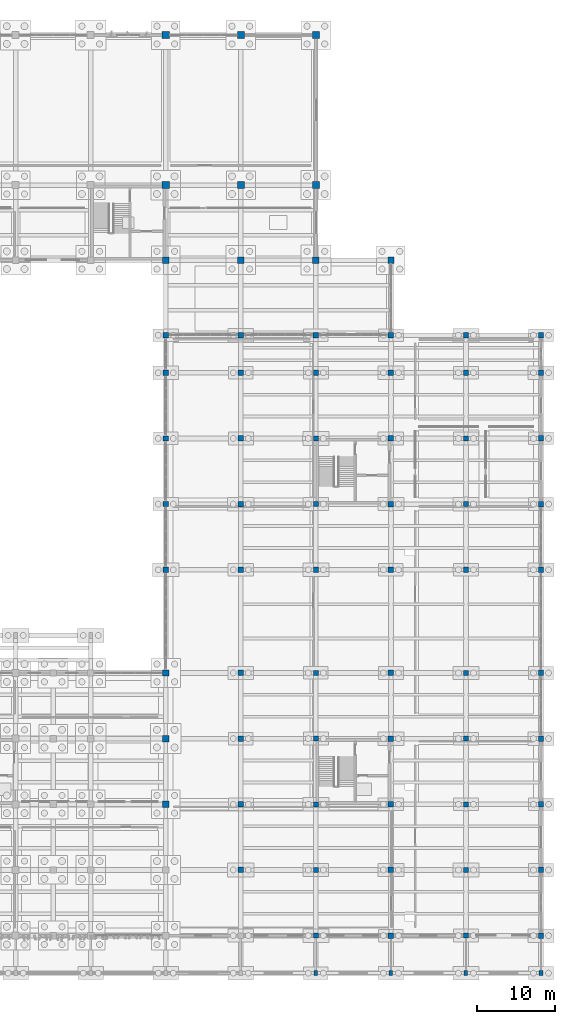
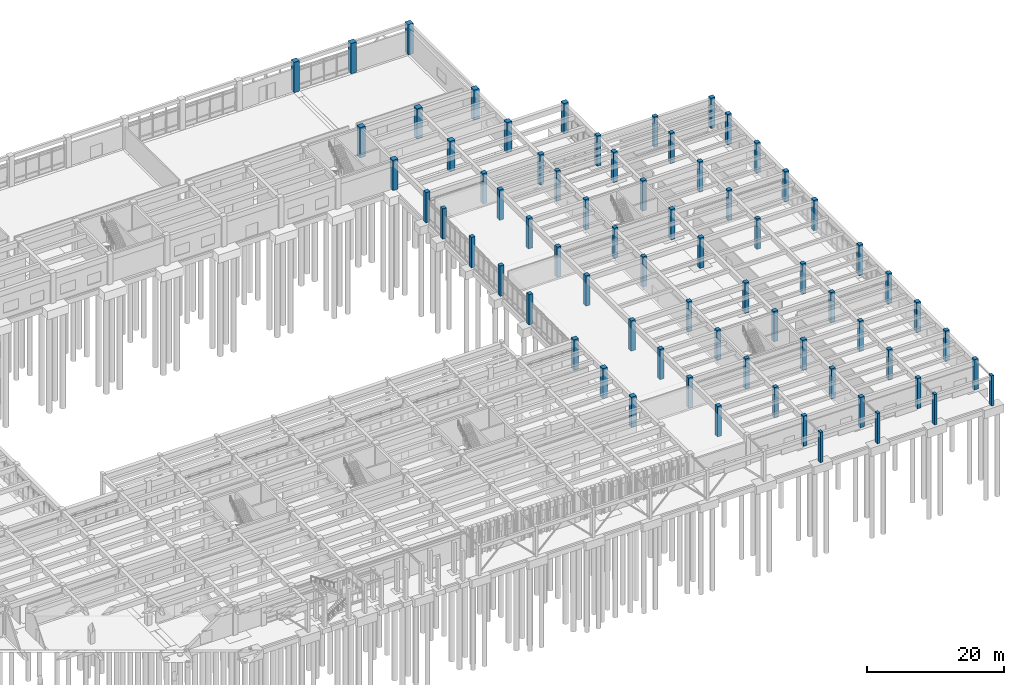
# One storey, part 10 of 102: 71 columns.
"""IFC4 building model written with IfcOpenShell, lengths in metres."""

from ifc_helpers import new_model, si_unit, direction, frame, origin, origin_2d, place, context, subcontext, project, spatial, rectangle, extrude, material, material_profile, profile_set, type_object, element, save


model = new_model("IFC4")

# Units and contexts
model_context = context("Model", 3, precision=1e-05, world=origin(), true_north=direction((0.0, 1.0)))
body_context = subcontext(model_context, "Body", "Model", "MODEL_VIEW")
ifc_project = project(units=[si_unit("LENGTHUNIT", "METRE"), si_unit("AREAUNIT", "SQUARE_METRE"), si_unit("VOLUMEUNIT", "CUBIC_METRE"), si_unit("PLANEANGLEUNIT", "RADIAN"), si_unit("MASSUNIT", "GRAM", prefix="KILO")], contexts=[model_context])

# Site, building, storey
site_placement = place(None, origin())
site = spatial("IfcSite", under=ifc_project, at=site_placement, CompositionType="ELEMENT")
building_placement = place(site_placement, origin())
building = spatial("IfcBuilding", under=site, at=building_placement, Name="Kolvemor Railside Polytechnic", CompositionType="ELEMENT")
storey_placement = place(building_placement, origin())
storey = spatial("IfcBuildingStorey", under=building, at=storey_placement, Name="L00", CompositionType="ELEMENT", Elevation=0.0)

# Columns
ifc_material_1 = material(Name="Concrete C40/50", Category="concrete")
ifc_material_profile_1 = material_profile(ifc_material_1, rectangle(XDim=0.449951171875, YDim=0.64990234375, at=origin_2d()), Name="RC450x650")
ifc_profile_set_1 = profile_set([ifc_material_profile_1], Name="Concrete C40/50")
column_type_1 = type_object("IfcColumnType", Name="COL-RC450x650", PredefinedType="PILASTER", material=ifc_profile_set_1)
for number, where, z_axis, x_axis, name in (
    (1, (153.60009765625, 0.0, 0.0), (0.0, 0.0, 1.0), (1.0, 0.0, 0.0), "Column L00-C209"),
    (2, (163.199951171875, 0.0, 0.0), (0.0, 0.0, 1.0), (1.0, 0.0, 0.0), "Column L00-C223"),
    (3, (172.800048828125, 0.0, 0.0), (0.0, 0.0, 1.0), (1.0, 0.0, 0.0), "Column L00-C235"),
    (4, (182.39990234375, 0.0, 0.0), (0.0, 0.0, 1.0), (1.0, 0.0, 0.0), "Column L00-C246"),
):
    element("IfcColumn", number, at=place(storey_placement, frame(where, z_axis=z_axis, x_axis=x_axis)), inside=storey, type_object=column_type_1, Name=name, PredefinedType="PILASTER", context=body_context, shape_type="SweptSolid", body=[
        extrude(rectangle(XDim=0.449951171875, YDim=0.64990234375, at=origin_2d()), origin(), (0.0, 0.0, 1.0), 5.39990234375),
    ])
ifc_material_2 = material(Name="Concrete C40/50", Category="concrete")
ifc_material_profile_2 = material_profile(ifc_material_2, rectangle(XDim=0.64990234375, YDim=0.64990234375, at=origin_2d()), Name="RC650x650")
ifc_profile_set_2 = profile_set([ifc_material_profile_2], Name="Concrete C40/50")
column_type_2 = type_object("IfcColumnType", Name="COL-RC650", PredefinedType="COLUMN", material=ifc_profile_set_2)
for number, where, z_axis, x_axis, name in (
    (5, (134.39990234375, 51.60009765625, 0.0), (0.0, 0.0, 1.0), (1.0, 0.0, 0.0), "Column L00-C187"),
    (6, (134.39990234375, 60.0, 0.0), (0.0, 0.0, 1.0), (1.0, 0.0, 0.0), "Column L00-C188"),
    (7, (134.39990234375, 68.39990234375, 0.0), (0.0, 0.0, 1.0), (1.0, 0.0, 0.0), "Column L00-C189"),
    (8, (134.39990234375, 76.800048828125, 0.0), (0.0, 0.0, 1.0), (1.0, 0.0, 0.0), "Column L00-C190"),
    (9, (153.60009765625, 4.800048828125, 0.0), (0.0, 0.0, 1.0), (1.0, 0.0, 0.0), "Column L00-C210"),
    (10, (153.60009765625, 13.199951171875, 0.0), (0.0, 0.0, 1.0), (1.0, 0.0, 0.0), "Column L00-C211"),
    (11, (153.60009765625, 21.60009765625, 0.0), (0.0, 0.0, 1.0), (1.0, 0.0, 0.0), "Column L00-C212"),
    (12, (153.60009765625, 30.0, 0.0), (0.0, 0.0, 1.0), (1.0, 0.0, 0.0), "Column L00-C213"),
    (13, (153.60009765625, 38.39990234375, 0.0), (0.0, 0.0, 1.0), (1.0, 0.0, 0.0), "Column L00-C214"),
    (14, (153.60009765625, 51.60009765625, 0.0), (0.0, 0.0, 1.0), (1.0, 0.0, 0.0), "Column L00-C215"),
    (15, (153.60009765625, 60.0, 0.0), (0.0, 0.0, 1.0), (1.0, 0.0, 0.0), "Column L00-C216"),
    (16, (153.60009765625, 68.39990234375, 0.0), (0.0, 0.0, 1.0), (1.0, 0.0, 0.0), "Column L00-C217"),
    (17, (153.60009765625, 76.800048828125, 0.0), (0.0, 0.0, 1.0), (1.0, 0.0, 0.0), "Column L00-C218"),
    (18, (172.800048828125, 4.800048828125, 0.0), (0.0, 0.0, 1.0), (1.0, 0.0, 0.0), "Column L00-C236"),
    (19, (172.800048828125, 13.199951171875, 0.0), (0.0, 0.0, 1.0), (1.0, 0.0, 0.0), "Column L00-C237"),
    (20, (172.800048828125, 21.60009765625, 0.0), (0.0, 0.0, 1.0), (1.0, 0.0, 0.0), "Column L00-C238"),
    (21, (172.800048828125, 30.0, 0.0), (0.0, 0.0, 1.0), (1.0, 0.0, 0.0), "Column L00-C239"),
    (22, (172.800048828125, 38.39990234375, 0.0), (0.0, 0.0, 1.0), (1.0, 0.0, 0.0), "Column L00-C240"),
    (23, (172.800048828125, 51.60009765625, 0.0), (0.0, 0.0, 1.0), (1.0, 0.0, 0.0), "Column L00-C241"),
    (24, (172.800048828125, 60.0, 0.0), (0.0, 0.0, 1.0), (1.0, 0.0, 0.0), "Column L00-C242"),
    (25, (172.800048828125, 68.39990234375, 0.0), (0.0, 0.0, 1.0), (1.0, 0.0, 0.0), "Column L00-C243"),
    (26, (172.800048828125, 76.800048828125, 0.0), (0.0, 0.0, 1.0), (1.0, 0.0, 0.0), "Column L00-C244"),
    (27, (172.800048828125, 81.60009765625, 0.0), (0.0, 0.0, 1.0), (1.0, 0.0, 0.0), "Column L00-C245"),
):
    element("IfcColumn", number, at=place(storey_placement, frame(where, z_axis=z_axis, x_axis=x_axis)), inside=storey, type_object=column_type_2, Name=name, PredefinedType="COLUMN", context=body_context, shape_type="SweptSolid", body=[
        extrude(rectangle(XDim=0.64990234375, YDim=0.64990234375, at=origin_2d()), origin(), (0.0, 0.0, 1.0), 5.39990234375),
    ])
ifc_material_3 = material(Name="Concrete C40/50", Category="concrete")
ifc_material_profile_3 = material_profile(ifc_material_3, rectangle(XDim=0.699951171875, YDim=0.699951171875, at=origin_2d()), Name="RC700x700")
ifc_profile_set_3 = profile_set([ifc_material_profile_3], Name="Concrete C40/50")
column_type_3 = type_object("IfcColumnType", Name="COL-RC700", PredefinedType="COLUMN", material=ifc_profile_set_3)
for number, where, z_axis, x_axis, name in (
    (28, (134.39990234375, 81.60009765625, 0.0), (0.0, 0.0, 1.0), (1.0, 0.0, 0.0), "Column L00-C191"),
    (29, (144.0, 13.199951171875, 0.0), (0.0, 0.0, 1.0), (1.0, 0.0, 0.0), "Column L00-C197"),
    (30, (144.0, 21.60009765625, 0.0), (0.0, 0.0, 1.0), (1.0, 0.0, 0.0), "Column L00-C198"),
    (31, (144.0, 30.0, 0.0), (0.0, 0.0, 1.0), (1.0, 0.0, 0.0), "Column L00-C199"),
    (32, (144.0, 38.39990234375, 0.0), (0.0, 0.0, 1.0), (1.0, 0.0, 0.0), "Column L00-C200"),
    (33, (144.0, 51.60009765625, 0.0), (0.0, 0.0, 1.0), (1.0, 0.0, 0.0), "Column L00-C201"),
    (34, (144.0, 60.0, 0.0), (0.0, 0.0, 1.0), (1.0, 0.0, 0.0), "Column L00-C202"),
    (35, (144.0, 68.39990234375, 0.0), (0.0, 0.0, 1.0), (1.0, 0.0, 0.0), "Column L00-C203"),
    (36, (144.0, 76.800048828125, 0.0), (0.0, 0.0, 1.0), (1.0, 0.0, 0.0), "Column L00-C204"),
    (37, (144.0, 81.60009765625, 0.0), (0.0, 0.0, 1.0), (1.0, 0.0, 0.0), "Column L00-C205"),
    (38, (153.60009765625, 81.60009765625, 0.0), (0.0, 0.0, 1.0), (1.0, 0.0, 0.0), "Column L00-C219"),
    (39, (163.199951171875, 4.800048828125, 0.0), (0.0, 0.0, 1.0), (1.0, 0.0, 0.0), "Column L00-C224"),
    (40, (163.199951171875, 13.199951171875, 0.0), (0.0, 0.0, 1.0), (1.0, 0.0, 0.0), "Column L00-C225"),
    (41, (163.199951171875, 21.60009765625, 0.0), (0.0, 0.0, 1.0), (1.0, 0.0, 0.0), "Column L00-C226"),
    (42, (163.199951171875, 30.0, 0.0), (0.0, 0.0, 1.0), (1.0, 0.0, 0.0), "Column L00-C227"),
    (43, (163.199951171875, 38.39990234375, 0.0), (0.0, 0.0, 1.0), (1.0, 0.0, 0.0), "Column L00-C228"),
    (44, (163.199951171875, 51.60009765625, 0.0), (0.0, 0.0, 1.0), (1.0, 0.0, 0.0), "Column L00-C229"),
    (45, (163.199951171875, 60.0, 0.0), (0.0, 0.0, 1.0), (1.0, 0.0, 0.0), "Column L00-C230"),
    (46, (163.199951171875, 68.39990234375, 0.0), (0.0, 0.0, 1.0), (1.0, 0.0, 0.0), "Column L00-C231"),
    (47, (163.199951171875, 76.800048828125, 0.0), (0.0, 0.0, 1.0), (1.0, 0.0, 0.0), "Column L00-C232"),
    (48, (163.199951171875, 81.60009765625, 0.0), (0.0, 0.0, 1.0), (1.0, 0.0, 0.0), "Column L00-C233"),
    (49, (182.39990234375, 4.800048828125, 0.0), (0.0, 0.0, 1.0), (1.0, 0.0, 0.0), "Column L00-C247"),
    (50, (182.39990234375, 13.199951171875, 0.0), (0.0, 0.0, 1.0), (1.0, 0.0, 0.0), "Column L00-C248"),
    (51, (182.39990234375, 21.60009765625, 0.0), (0.0, 0.0, 1.0), (1.0, 0.0, 0.0), "Column L00-C249"),
    (52, (182.39990234375, 30.0, 0.0), (0.0, 0.0, 1.0), (1.0, 0.0, 0.0), "Column L00-C250"),
    (53, (182.39990234375, 38.39990234375, 0.0), (0.0, 0.0, 1.0), (1.0, 0.0, 0.0), "Column L00-C251"),
    (54, (182.39990234375, 51.60009765625, 0.0), (0.0, 0.0, 1.0), (1.0, 0.0, 0.0), "Column L00-C252"),
    (55, (182.39990234375, 60.0, 0.0), (0.0, 0.0, 1.0), (1.0, 0.0, 0.0), "Column L00-C253"),
    (56, (182.39990234375, 68.39990234375, 0.0), (0.0, 0.0, 1.0), (1.0, 0.0, 0.0), "Column L00-C254"),
    (57, (182.39990234375, 76.800048828125, 0.0), (0.0, 0.0, 1.0), (1.0, 0.0, 0.0), "Column L00-C255"),
    (58, (182.39990234375, 81.60009765625, 0.0), (0.0, 0.0, 1.0), (1.0, 0.0, 0.0), "Column L00-C256"),
):
    element("IfcColumn", number, at=place(storey_placement, frame(where, z_axis=z_axis, x_axis=x_axis)), inside=storey, type_object=column_type_3, Name=name, PredefinedType="COLUMN", context=body_context, shape_type="SweptSolid", body=[
        extrude(rectangle(XDim=0.699951171875, YDim=0.699951171875, at=origin_2d()), origin(), (0.0, 0.0, 1.0), 5.39990234375),
    ])
ifc_material_4 = material(Name="Concrete C40/50", Category="concrete")
ifc_material_profile_4 = material_profile(ifc_material_4, rectangle(XDim=0.800048828125, YDim=0.800048828125, at=origin_2d()), Name="RC800x800")
ifc_profile_set_4 = profile_set([ifc_material_profile_4], Name="Concrete C40/50")
column_type_4 = type_object("IfcColumnType", Name="COL-RC800", PredefinedType="COLUMN", material=ifc_profile_set_4)
for number, where, z_axis, x_axis, name in (
    (59, (134.39990234375, 21.60009765625, 0.0), (0.0, 0.0, 1.0), (1.0, 0.0, 0.0), "Column L00-C184"),
    (60, (134.39990234375, 30.0, 0.0), (0.0, 0.0, 1.0), (1.0, 0.0, 0.0), "Column L00-C185"),
    (61, (134.39990234375, 38.39990234375, 0.0), (0.0, 0.0, 1.0), (1.0, 0.0, 0.0), "Column L00-C186"),
    (62, (163.199951171875, 91.199951171875, 0.0), (0.0, 0.0, 1.0), (1.0, 0.0, 0.0), "Column L00-C234"),
):
    element("IfcColumn", number, at=place(storey_placement, frame(where, z_axis=z_axis, x_axis=x_axis)), inside=storey, type_object=column_type_4, Name=name, PredefinedType="COLUMN", context=body_context, shape_type="SweptSolid", body=[
        extrude(rectangle(XDim=0.800048828125, YDim=0.800048828125, at=origin_2d()), origin(), (0.0, 0.0, 1.0), 5.39990234375),
    ])
ifc_material_5 = material(Name="Concrete C40/50", Category="concrete")
ifc_material_profile_5 = material_profile(ifc_material_5, rectangle(XDim=0.85009765625, YDim=0.85009765625, at=origin_2d()), Name="RC850x850")
ifc_profile_set_5 = profile_set([ifc_material_profile_5], Name="Concrete C40/50")
column_type_5 = type_object("IfcColumnType", Name="COL-RC850", PredefinedType="COLUMN", material=ifc_profile_set_5)
for number, where, z_axis, x_axis, name in (
    (63, (134.39990234375, 91.199951171875, 0.0), (0.0, 0.0, 1.0), (1.0, 0.0, 0.0), "Column L00-C192"),
    (64, (144.0, 91.199951171875, 0.0), (0.0, 0.0, 1.0), (1.0, 0.0, 0.0), "Column L00-C206"),
    (65, (153.60009765625, 91.199951171875, 0.0), (0.0, 0.0, 1.0), (1.0, 0.0, 0.0), "Column L00-C220"),
):
    element("IfcColumn", number, at=place(storey_placement, frame(where, z_axis=z_axis, x_axis=x_axis)), inside=storey, type_object=column_type_5, Name=name, PredefinedType="COLUMN", context=body_context, shape_type="SweptSolid", body=[
        extrude(rectangle(XDim=0.85009765625, YDim=0.85009765625, at=origin_2d()), origin(), (0.0, 0.0, 1.0), 5.39990234375),
    ])
ifc_material_6 = material(Name="Concrete C40/50", Category="concrete")
ifc_material_profile_6 = material_profile(ifc_material_6, rectangle(XDim=0.89990234375, YDim=0.89990234375, at=origin_2d()), Name="RC900x900")
ifc_profile_set_6 = profile_set([ifc_material_profile_6], Name="Concrete C40/50")
column_type_6 = type_object("IfcColumnType", Name="COL-RC900", PredefinedType="COLUMN", material=ifc_profile_set_6)
for number, where, z_axis, x_axis, name in (
    (66, (134.39990234375, 100.800048828125, 0.0), (0.0, 0.0, 1.0), (1.0, 0.0, 0.0), "Column L00-C193"),
    (67, (134.39990234375, 120.0, 0.0), (0.0, 0.0, 1.0), (1.0, 0.0, 0.0), "Column L00-C194"),
    (68, (144.0, 100.800048828125, 0.0), (0.0, 0.0, 1.0), (1.0, 0.0, 0.0), "Column L00-C207"),
    (69, (144.0, 120.0, 0.0), (0.0, 0.0, 1.0), (1.0, 0.0, 0.0), "Column L00-C208"),
    (70, (153.60009765625, 100.800048828125, 0.0), (0.0, 0.0, 1.0), (1.0, 0.0, 0.0), "Column L00-C221"),
    (71, (153.60009765625, 120.0, 0.0), (0.0, 0.0, 1.0), (1.0, 0.0, 0.0), "Column L00-C222"),
):
    element("IfcColumn", number, at=place(storey_placement, frame(where, z_axis=z_axis, x_axis=x_axis)), inside=storey, type_object=column_type_6, Name=name, PredefinedType="COLUMN", context=body_context, shape_type="SweptSolid", body=[
        extrude(rectangle(XDim=0.89990234375, YDim=0.89990234375, at=origin_2d()), origin(), (0.0, 0.0, 1.0), 5.39990234375),
    ])

save(model, "model.ifc")
